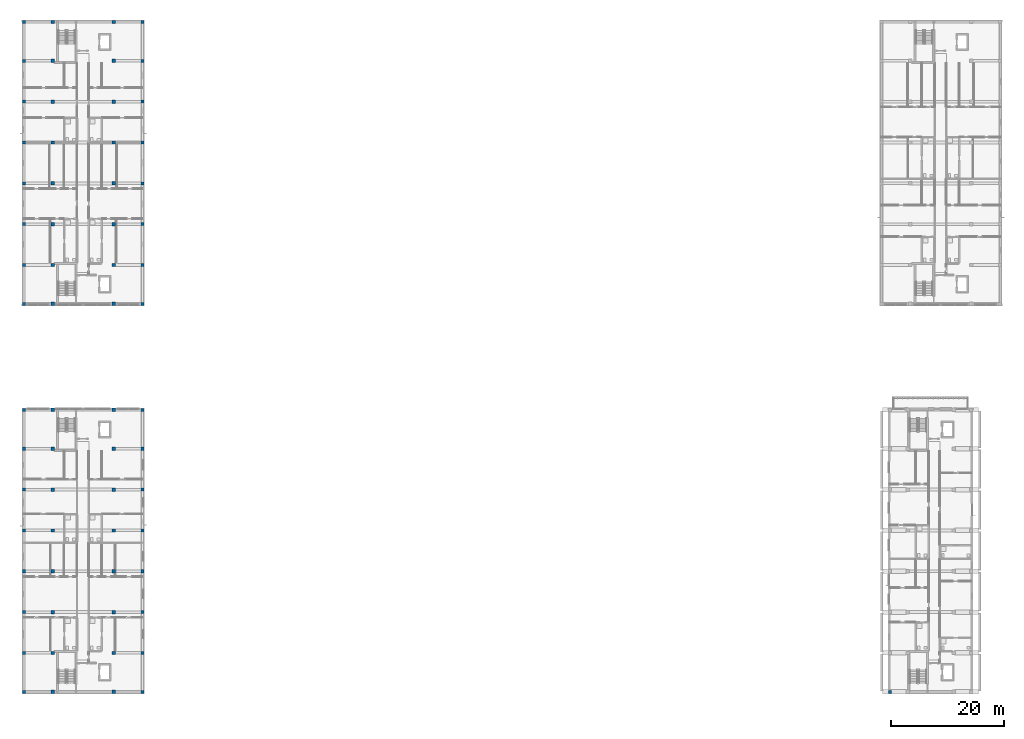
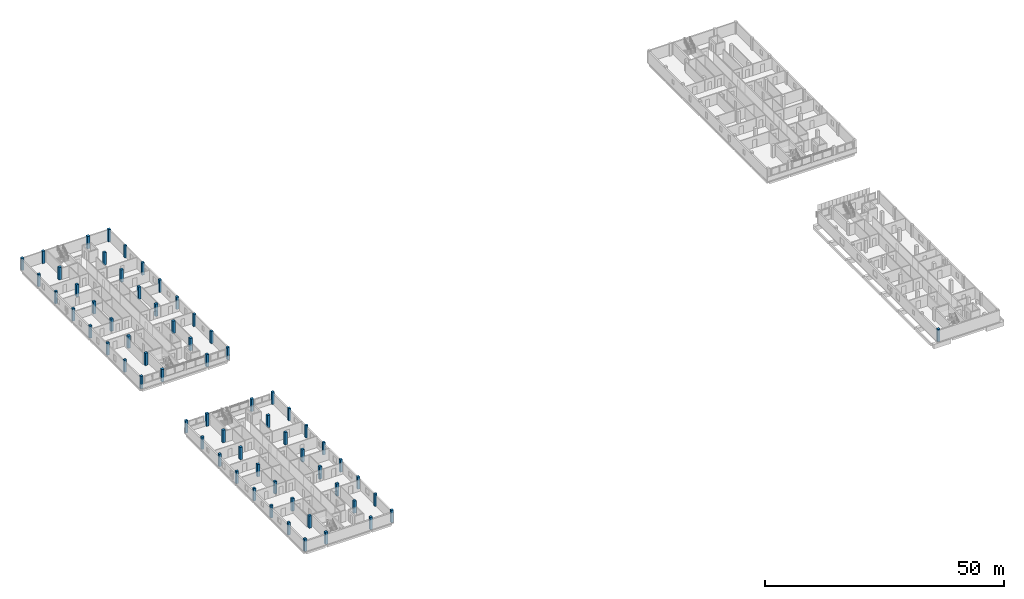
# One storey, part 1 of 38: 65 columns.
"""IFC4 building model written with IfcOpenShell, lengths in metres."""

from ifc_helpers import new_model, si_unit, derived_unit, direction, frame, origin, origin_2d, place, context, subcontext, project, spatial, rectangle, extrude, material, material_profile, profile_set, type_object, element, save


model = new_model("IFC4")

# Units and contexts
model_context = context("Model", 3, precision=1e-05, world=origin(), true_north=direction((0.0, 1.0)))
body_context = subcontext(model_context, "Body", "Model", "MODEL_VIEW")
ifc_project = project(units=[si_unit("LENGTHUNIT", "METRE"), si_unit("AREAUNIT", "SQUARE_METRE"), si_unit("VOLUMEUNIT", "CUBIC_METRE"), si_unit("PLANEANGLEUNIT", "RADIAN"), si_unit("MASSUNIT", "GRAM", prefix="KILO"), derived_unit("THERMALTRANSMITTANCEUNIT", [(si_unit("MASSUNIT", "GRAM", prefix="KILO"), 1), (si_unit("TIMEUNIT", "SECOND"), -3), (si_unit("THERMODYNAMICTEMPERATUREUNIT", "KELVIN"), -1)])], contexts=[model_context])

# Site, building, storey
site_placement = place(None, origin())
site = spatial("IfcSite", under=ifc_project, at=site_placement, CompositionType="ELEMENT")
building_placement = place(site_placement, origin())
building = spatial("IfcBuilding", under=site, at=building_placement, Name="Ochrekiln Boulevard Commons", CompositionType="ELEMENT")
storey_placement = place(building_placement, frame((0.0, 0.0, 24.675048828125)))
storey = spatial("IfcBuildingStorey", under=building, at=storey_placement, Name="L07", CompositionType="ELEMENT", Elevation=24.675048828125)

# Columns
ifc_material_1 = material(Name="Concrete C35/45", Category="concrete")
ifc_material_profile_1 = material_profile(ifc_material_1, rectangle(XDim=0.550048828125, YDim=0.550048828125, at=origin_2d()), Name="RC-COL-550x550")
ifc_profile_set_1 = profile_set([ifc_material_profile_1], Name="Concrete C35/45")
column_type_1 = type_object("IfcColumnType", Name="COL-RC-550", PredefinedType="COLUMN", material=ifc_profile_set_1)
for number, where, z_axis, x_axis, name in (
    (1, (0.35009765625, 68.75, 0.0), (0.0, 0.0, 1.0), (1.0, 0.0, 0.0), "Block A L07 Column C-550 (1)"),
    (2, (0.35009765625, 75.60009765625, 0.0), (0.0, 0.0, 1.0), (1.0, 0.0, 0.0), "Block A L07 Column C-550 (2)"),
    (3, (0.35009765625, 82.800048828125, 0.0), (0.0, 0.0, 1.0), (1.0, 0.0, 0.0), "Block A L07 Column C-550 (3)"),
    (4, (0.35009765625, 90.0, 0.0), (0.0, 0.0, 1.0), (1.0, 0.0, 0.0), "Block A L07 Column C-550 (4)"),
    (5, (0.35009765625, 97.199951171875, 0.0), (0.0, 0.0, 1.0), (1.0, 0.0, 0.0), "Block A L07 Column C-550 (5)"),
    (6, (0.35009765625, 104.39990234375, 0.0), (0.0, 0.0, 1.0), (1.0, 0.0, 0.0), "Block A L07 Column C-550 (6)"),
    (7, (0.35009765625, 111.60009765625, 0.0), (0.0, 0.0, 1.0), (1.0, 0.0, 0.0), "Block A L07 Column C-550 (7)"),
    (8, (0.35009765625, 118.449951171875, 0.0), (0.0, 0.0, 1.0), (1.0, 0.0, 0.0), "Block A L07 Column C-550 (8)"),
    (9, (21.25, 68.75, 0.0), (0.0, 0.0, 1.0), (1.0, 0.0, 0.0), "Block A L07 Column C-550 (25)"),
    (10, (21.25, 75.60009765625, 0.0), (0.0, 0.0, 1.0), (1.0, 0.0, 0.0), "Block A L07 Column C-550 (26)"),
    (11, (21.25, 82.800048828125, 0.0), (0.0, 0.0, 1.0), (1.0, 0.0, 0.0), "Block A L07 Column C-550 (27)"),
    (12, (21.25, 90.0, 0.0), (0.0, 0.0, 1.0), (1.0, 0.0, 0.0), "Block A L07 Column C-550 (28)"),
    (13, (21.25, 97.199951171875, 0.0), (0.0, 0.0, 1.0), (1.0, 0.0, 0.0), "Block A L07 Column C-550 (29)"),
    (14, (21.25, 104.39990234375, 0.0), (0.0, 0.0, 1.0), (1.0, 0.0, 0.0), "Block A L07 Column C-550 (30)"),
    (15, (21.25, 111.60009765625, 0.0), (0.0, 0.0, 1.0), (1.0, 0.0, 0.0), "Block A L07 Column C-550 (31)"),
    (16, (21.25, 118.449951171875, 0.0), (0.0, 0.0, 1.0), (1.0, 0.0, 0.0), "Block A L07 Column C-550 (32)"),
    (17, (153.050048828125, 0.35009765625, 0.0), (0.0, 0.0, 1.0), (1.0, 0.0, 0.0), "Block C L07 Column C-550 (1)"),
    (18, (0.35009765625, 0.35009765625, 0.0), (0.0, 0.0, 1.0), (1.0, 0.0, 0.0), "Block D L07 Column C-550 (1)"),
    (19, (0.35009765625, 7.199951171875, 0.0), (0.0, 0.0, 1.0), (1.0, 0.0, 0.0), "Block D L07 Column C-550 (2)"),
    (20, (0.35009765625, 14.39990234375, 0.0), (0.0, 0.0, 1.0), (1.0, 0.0, 0.0), "Block D L07 Column C-550 (3)"),
    (21, (0.35009765625, 21.60009765625, 0.0), (0.0, 0.0, 1.0), (1.0, 0.0, 0.0), "Block D L07 Column C-550 (4)"),
    (22, (0.35009765625, 28.800048828125, 0.0), (0.0, 0.0, 1.0), (1.0, 0.0, 0.0), "Block D L07 Column C-550 (5)"),
    (23, (0.35009765625, 36.0, 0.0), (0.0, 0.0, 1.0), (1.0, 0.0, 0.0), "Block D L07 Column C-550 (6)"),
    (24, (0.35009765625, 43.199951171875, 0.0), (0.0, 0.0, 1.0), (1.0, 0.0, 0.0), "Block D L07 Column C-550 (7)"),
    (25, (0.35009765625, 50.050048828125, 0.0), (0.0, 0.0, 1.0), (1.0, 0.0, 0.0), "Block D L07 Column C-550 (8)"),
    (26, (21.25, 0.35009765625, 0.0), (0.0, 0.0, 1.0), (1.0, 0.0, 0.0), "Block D L07 Column C-550 (25)"),
    (27, (21.25, 7.199951171875, 0.0), (0.0, 0.0, 1.0), (1.0, 0.0, 0.0), "Block D L07 Column C-550 (26)"),
    (28, (21.25, 14.39990234375, 0.0), (0.0, 0.0, 1.0), (1.0, 0.0, 0.0), "Block D L07 Column C-550 (27)"),
    (29, (21.25, 21.60009765625, 0.0), (0.0, 0.0, 1.0), (1.0, 0.0, 0.0), "Block D L07 Column C-550 (28)"),
    (30, (21.25, 28.800048828125, 0.0), (0.0, 0.0, 1.0), (1.0, 0.0, 0.0), "Block D L07 Column C-550 (29)"),
    (31, (21.25, 36.0, 0.0), (0.0, 0.0, 1.0), (1.0, 0.0, 0.0), "Block D L07 Column C-550 (30)"),
    (32, (21.25, 43.199951171875, 0.0), (0.0, 0.0, 1.0), (1.0, 0.0, 0.0), "Block D L07 Column C-550 (31)"),
    (33, (21.25, 50.050048828125, 0.0), (0.0, 0.0, 1.0), (1.0, 0.0, 0.0), "Block D L07 Column C-550 (32)"),
):
    element("IfcColumn", number, at=place(storey_placement, frame(where, z_axis=z_axis, x_axis=x_axis)), inside=storey, type_object=column_type_1, Name=name, PredefinedType="COLUMN", context=body_context, shape_type="SweptSolid", body=[
        extrude(rectangle(XDim=0.550048828125, YDim=0.550048828125, at=origin_2d()), origin(), (0.0, 0.0, 1.0), 3.14990234375),
    ])
ifc_material_2 = material(Name="Concrete C40/50", Category="concrete")
ifc_material_profile_2 = material_profile(ifc_material_2, rectangle(XDim=0.60009765625, YDim=0.60009765625, at=origin_2d()), Name="RC-COL-600x600")
ifc_profile_set_2 = profile_set([ifc_material_profile_2], Name="Concrete C40/50")
column_type_2 = type_object("IfcColumnType", Name="COL-RC-600", PredefinedType="COLUMN", material=ifc_profile_set_2)
for number, where, z_axis, x_axis, name in (
    (34, (5.39990234375, 68.75, 0.0), (0.0, 0.0, 1.0), (1.0, 0.0, 0.0), "Block A L07 Column C-600 (9)"),
    (35, (5.39990234375, 75.60009765625, 0.0), (0.0, 0.0, 1.0), (1.0, 0.0, 0.0), "Block A L07 Column C-600 (10)"),
    (36, (5.39990234375, 82.800048828125, 0.0), (0.0, 0.0, 1.0), (1.0, 0.0, 0.0), "Block A L07 Column C-600 (11)"),
    (37, (5.39990234375, 90.0, 0.0), (0.0, 0.0, 1.0), (1.0, 0.0, 0.0), "Block A L07 Column C-600 (12)"),
    (38, (5.39990234375, 97.199951171875, 0.0), (0.0, 0.0, 1.0), (1.0, 0.0, 0.0), "Block A L07 Column C-600 (13)"),
    (39, (5.39990234375, 104.39990234375, 0.0), (0.0, 0.0, 1.0), (1.0, 0.0, 0.0), "Block A L07 Column C-600 (14)"),
    (40, (5.39990234375, 111.60009765625, 0.0), (0.0, 0.0, 1.0), (1.0, 0.0, 0.0), "Block A L07 Column C-600 (15)"),
    (41, (5.39990234375, 118.449951171875, 0.0), (0.0, 0.0, 1.0), (1.0, 0.0, 0.0), "Block A L07 Column C-600 (16)"),
    (42, (16.199951171875, 68.75, 0.0), (0.0, 0.0, 1.0), (1.0, 0.0, 0.0), "Block A L07 Column C-600 (17)"),
    (43, (16.199951171875, 75.60009765625, 0.0), (0.0, 0.0, 1.0), (1.0, 0.0, 0.0), "Block A L07 Column C-600 (18)"),
    (44, (16.199951171875, 82.800048828125, 0.0), (0.0, 0.0, 1.0), (1.0, 0.0, 0.0), "Block A L07 Column C-600 (19)"),
    (45, (16.199951171875, 90.0, 0.0), (0.0, 0.0, 1.0), (1.0, 0.0, 0.0), "Block A L07 Column C-600 (20)"),
    (46, (16.199951171875, 97.199951171875, 0.0), (0.0, 0.0, 1.0), (1.0, 0.0, 0.0), "Block A L07 Column C-600 (21)"),
    (47, (16.199951171875, 104.39990234375, 0.0), (0.0, 0.0, 1.0), (1.0, 0.0, 0.0), "Block A L07 Column C-600 (22)"),
    (48, (16.199951171875, 111.60009765625, 0.0), (0.0, 0.0, 1.0), (1.0, 0.0, 0.0), "Block A L07 Column C-600 (23)"),
    (49, (16.199951171875, 118.449951171875, 0.0), (0.0, 0.0, 1.0), (1.0, 0.0, 0.0), "Block A L07 Column C-600 (24)"),
    (50, (5.39990234375, 0.35009765625, 0.0), (0.0, 0.0, 1.0), (1.0, 0.0, 0.0), "Block D L07 Column C-600 (9)"),
    (51, (5.39990234375, 7.199951171875, 0.0), (0.0, 0.0, 1.0), (1.0, 0.0, 0.0), "Block D L07 Column C-600 (10)"),
    (52, (5.39990234375, 14.39990234375, 0.0), (0.0, 0.0, 1.0), (1.0, 0.0, 0.0), "Block D L07 Column C-600 (11)"),
    (53, (5.39990234375, 21.60009765625, 0.0), (0.0, 0.0, 1.0), (1.0, 0.0, 0.0), "Block D L07 Column C-600 (12)"),
    (54, (5.39990234375, 28.800048828125, 0.0), (0.0, 0.0, 1.0), (1.0, 0.0, 0.0), "Block D L07 Column C-600 (13)"),
    (55, (5.39990234375, 36.0, 0.0), (0.0, 0.0, 1.0), (1.0, 0.0, 0.0), "Block D L07 Column C-600 (14)"),
    (56, (5.39990234375, 43.199951171875, 0.0), (0.0, 0.0, 1.0), (1.0, 0.0, 0.0), "Block D L07 Column C-600 (15)"),
    (57, (5.39990234375, 50.050048828125, 0.0), (0.0, 0.0, 1.0), (1.0, 0.0, 0.0), "Block D L07 Column C-600 (16)"),
    (58, (16.199951171875, 0.35009765625, 0.0), (0.0, 0.0, 1.0), (1.0, 0.0, 0.0), "Block D L07 Column C-600 (17)"),
    (59, (16.199951171875, 7.199951171875, 0.0), (0.0, 0.0, 1.0), (1.0, 0.0, 0.0), "Block D L07 Column C-600 (18)"),
    (60, (16.199951171875, 14.39990234375, 0.0), (0.0, 0.0, 1.0), (1.0, 0.0, 0.0), "Block D L07 Column C-600 (19)"),
    (61, (16.199951171875, 21.60009765625, 0.0), (0.0, 0.0, 1.0), (1.0, 0.0, 0.0), "Block D L07 Column C-600 (20)"),
    (62, (16.199951171875, 28.800048828125, 0.0), (0.0, 0.0, 1.0), (1.0, 0.0, 0.0), "Block D L07 Column C-600 (21)"),
    (63, (16.199951171875, 36.0, 0.0), (0.0, 0.0, 1.0), (1.0, 0.0, 0.0), "Block D L07 Column C-600 (22)"),
    (64, (16.199951171875, 43.199951171875, 0.0), (0.0, 0.0, 1.0), (1.0, 0.0, 0.0), "Block D L07 Column C-600 (23)"),
    (65, (16.199951171875, 50.050048828125, 0.0), (0.0, 0.0, 1.0), (1.0, 0.0, 0.0), "Block D L07 Column C-600 (24)"),
):
    element("IfcColumn", number, at=place(storey_placement, frame(where, z_axis=z_axis, x_axis=x_axis)), inside=storey, type_object=column_type_2, Name=name, PredefinedType="COLUMN", context=body_context, shape_type="SweptSolid", body=[
        extrude(rectangle(XDim=0.60009765625, YDim=0.60009765625, at=origin_2d()), origin(), (0.0, 0.0, 1.0), 3.14990234375),
    ])

save(model, "model.ifc")
